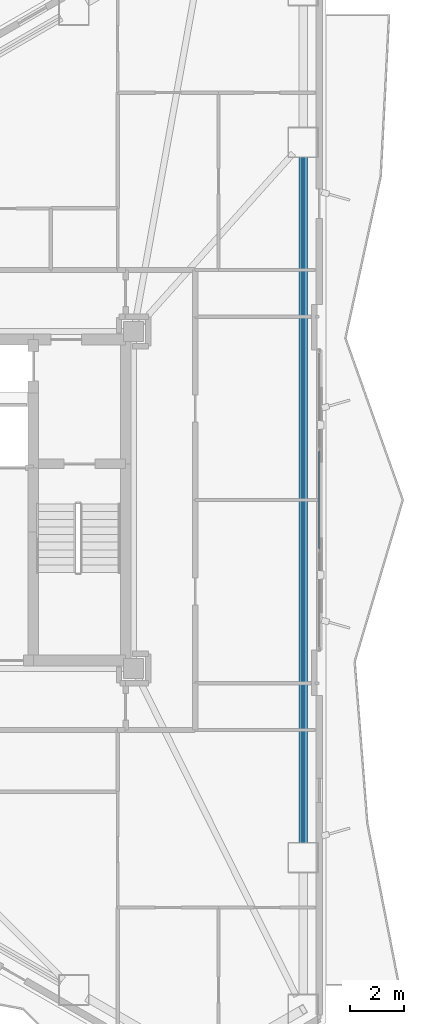
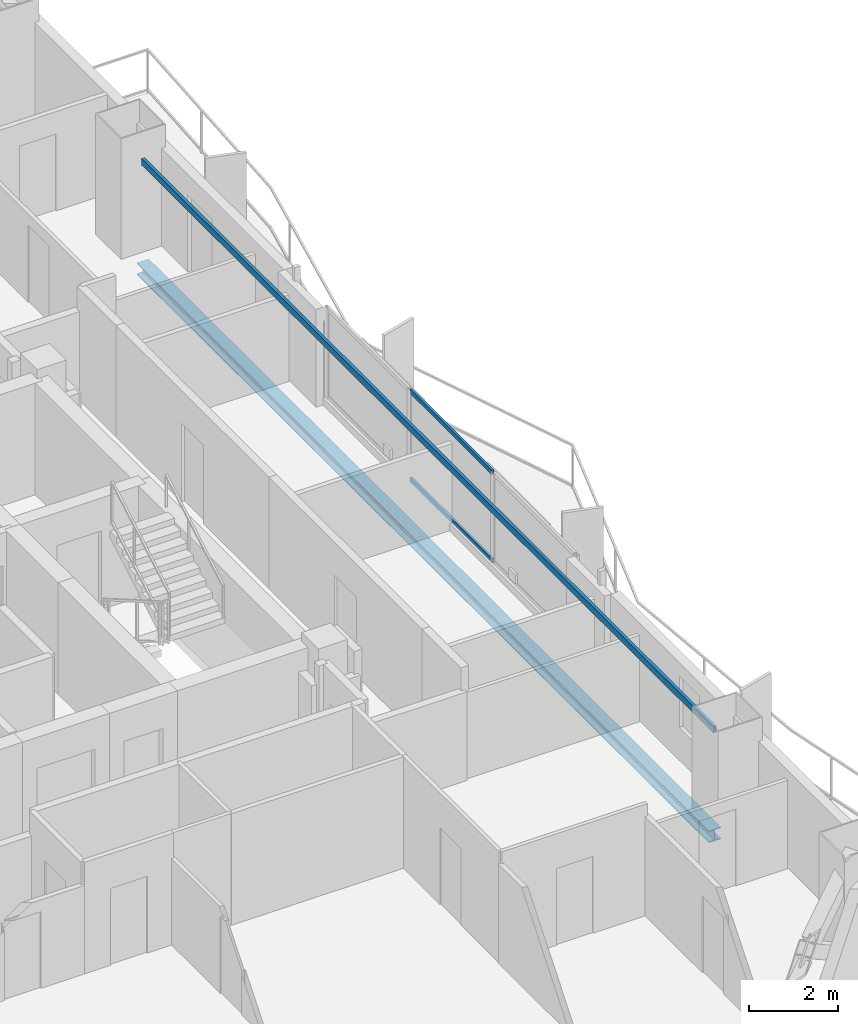
# One storey, part 9 of 22: 2 beams, 2 members, 1 element without a shape of its own.
"""IFC4 building model written with IfcOpenShell, lengths in metres."""

from ifc_helpers import new_model, si_unit, direction, frame, origin, origin_2d, place, context, subcontext, project, spatial, hollow_rectangle, i_section, extrude, material, layer, layer_set, material_profile, profile_set, type_object, element, aggregate, save


model = new_model("IFC4")

# Units and contexts
model_context = context("Model", 3, precision=1e-05, world=origin(), true_north=direction((0.0, 1.0)))
body_context = subcontext(model_context, "Body", "Model", "MODEL_VIEW")
ifc_project = project(units=[si_unit("LENGTHUNIT", "METRE"), si_unit("AREAUNIT", "SQUARE_METRE"), si_unit("VOLUMEUNIT", "CUBIC_METRE"), si_unit("PLANEANGLEUNIT", "RADIAN"), si_unit("MASSUNIT", "GRAM", prefix="KILO")], contexts=[model_context])

# Site, building, storey
site_placement = place(None, origin())
site = spatial("IfcSite", under=ifc_project, at=site_placement, CompositionType="ELEMENT")
building_placement = place(site_placement, origin())
building = spatial("IfcBuilding", under=site, at=building_placement, Name="Mersakhor Tower and Convention Hall", CompositionType="ELEMENT")
storey_placement = place(building_placement, frame((0.0, 0.0, 109.800048828125)))
storey = spatial("IfcBuildingStorey", under=building, at=storey_placement, Name="L30", CompositionType="ELEMENT", Elevation=109.800048828125)

# Beams
ifc_material_1 = material(Name="Steel S355", Category="steel")
ifc_material_profile_1 = material_profile(ifc_material_1, hollow_rectangle(XDim=0.080078125, YDim=0.179931640625, WallThickness=0.008056640625, at=origin_2d()), Name="RHS 180x80x8")
ifc_profile_set_1 = profile_set([ifc_material_profile_1], Name="Steel S355")
beam_type_1 = type_object("IfcBeamType", Name="BM-GRT-RHS180", PredefinedType="USERDEFINED", material=ifc_profile_set_1)
beam_1_placement = place(storey_placement, frame((42.4345703125, 39.566650390625, 2.47998046875), z_axis=(0.0, -1.0, 0.0), x_axis=(1.0, 0.0, 0.0)))
element("IfcBeam", 1, at=beam_1_placement, inside=storey, type_object=beam_type_1, Name="L30 Facade Support Girt GRT-F2", ObjectType="GIRT", PredefinedType="USERDEFINED", context=body_context, shape_type="SweptSolid", body=[
    extrude(hollow_rectangle(XDim=0.080078125, YDim=0.179931640625, WallThickness=0.008056640625, at=origin_2d()), origin(), (0.0, 0.0, 1.0), 25.63330078125),
])
ifc_material_2 = material(Name="Steel S355", Category="steel")
ifc_material_profile_2 = material_profile(ifc_material_2, i_section(OverallWidth=0.30908203125, OverallDepth=0.320556640625, WebThickness=0.013916015625, FlangeThickness=0.021728515625, at=origin_2d()), Name="UC 305x305x137")
ifc_profile_set_2 = profile_set([ifc_material_profile_2], Name="Steel S355")
beam_type_2 = type_object("IfcBeamType", Name="BM-SPD-UC305", PredefinedType="SPANDREL", material=ifc_profile_set_2)
beam_2_placement = place(storey_placement, frame((42.4345703125, 39.566650390625, -0.410400390625), z_axis=(0.0, -1.0, 0.0), x_axis=(1.0, 0.0, 0.0)))
element("IfcBeam", 2, at=beam_2_placement, inside=storey, type_object=beam_type_2, Name="L30 Perimeter Spandrel Beam SPB-06", PredefinedType="SPANDREL", context=body_context, shape_type="SweptSolid", body=[
    extrude(i_section(OverallWidth=0.30908203125, OverallDepth=0.320556640625, WebThickness=0.013916015625, FlangeThickness=0.021728515625, at=origin_2d()), origin(), (0.0, 0.0, 1.0), 25.63330078125),
])

# Curtain wall, members
ifc_material_3 = material(Name="Dark solar low-E aluminium curtain wall", Category="aluminium")
ifc_layer = layer(ifc_material_3, 0.159912109375)
ifc_layer_set = layer_set([ifc_layer], Name="Dark solar low-E aluminium curtain wall")
curtain_wall_type = type_object("IfcCurtainWallType", Name="CW-SYS-01", PredefinedType="USERDEFINED", material=ifc_layer_set)
curtain_wall_placement = place(storey_placement, origin())
curtain_wall = element("IfcCurtainWall", 3, at=curtain_wall_placement, inside=storey, type_object=curtain_wall_type, Name="L30 Dark-Glass Curtain Wall F2-B2", ObjectType="CURTAIN WALL", PredefinedType="USERDEFINED")
ifc_material_4 = material(Name="Anodised aluminium EN AW-6063 T6", Category="aluminium")
ifc_material_profile_3 = material_profile(ifc_material_4, hollow_rectangle(XDim=0.06005859375, YDim=0.1201171875, WallThickness=0.0048828125, at=origin_2d()), Name="RHS 120x60x5")
ifc_profile_set_3 = profile_set([ifc_material_profile_3], Name="Anodised aluminium EN AW-6063 T6")
member_type = type_object("IfcMemberType", Name="CWT-120x60", PredefinedType="USERDEFINED", material=ifc_profile_set_3)
member_1_placement = place(storey_placement, frame((43.03466796875, 28.583984375, 0.22998046875), z_axis=(0.0, -1.0, 0.0), x_axis=(1.0, 0.0, 0.0)))
member_1 = element("IfcMember", 4, at=member_1_placement, type_object=member_type, Name="CW-01 transom 2.1", ObjectType="TRANSOM", PredefinedType="USERDEFINED", context=body_context, shape_type="SweptSolid", body=[
    extrude(hollow_rectangle(XDim=0.06005859375, YDim=0.1201171875, WallThickness=0.0048828125, at=origin_2d()), origin(), (0.0, 0.0, 1.0), 3.66796875),
])
member_2_placement = place(storey_placement, frame((43.03466796875, 28.583984375, 2.639892578125), z_axis=(0.0, -1.0, 0.0), x_axis=(1.0, 0.0, 0.0)))
member_2 = element("IfcMember", 5, at=member_2_placement, type_object=member_type, Name="CW-01 transom 2.2", ObjectType="TRANSOM", PredefinedType="USERDEFINED", context=body_context, shape_type="SweptSolid", body=[
    extrude(hollow_rectangle(XDim=0.06005859375, YDim=0.1201171875, WallThickness=0.0048828125, at=origin_2d()), origin(), (0.0, 0.0, 1.0), 3.66796875),
])
aggregate(curtain_wall, [member_1, member_2])

save(model, "model.ifc")
